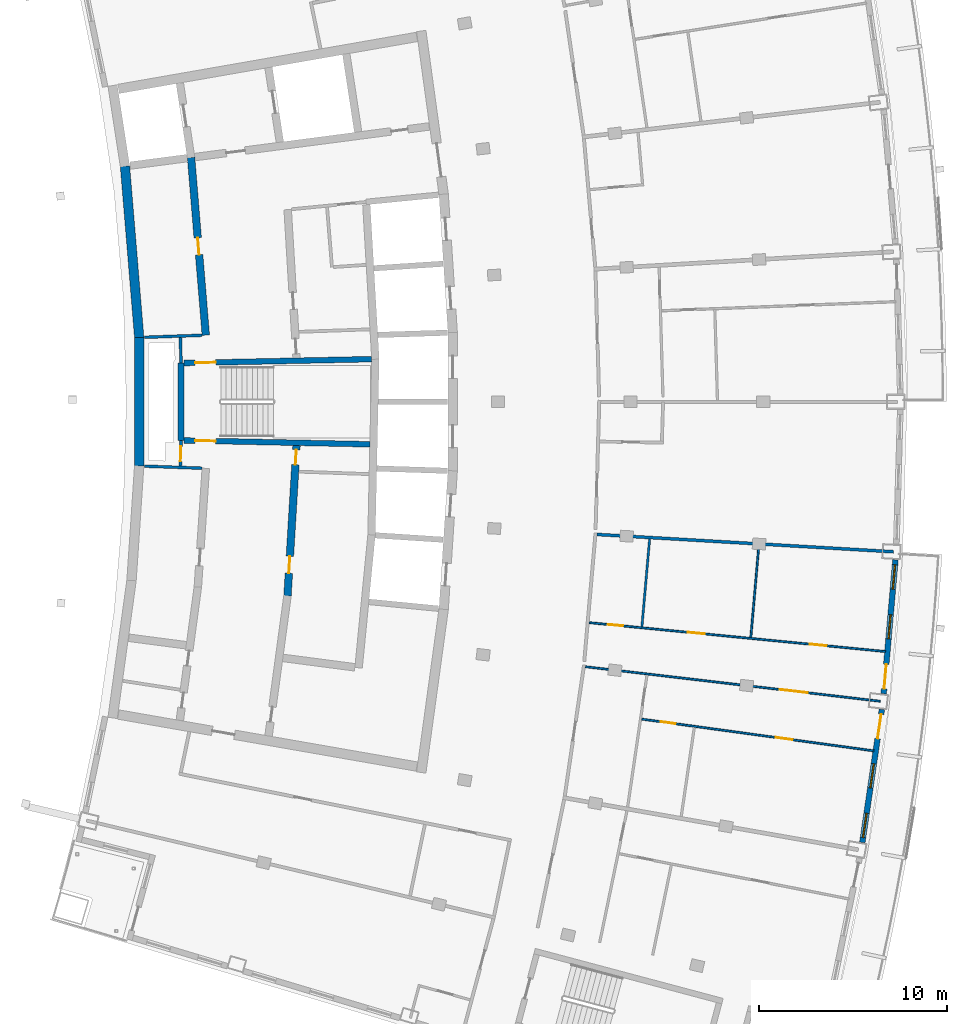
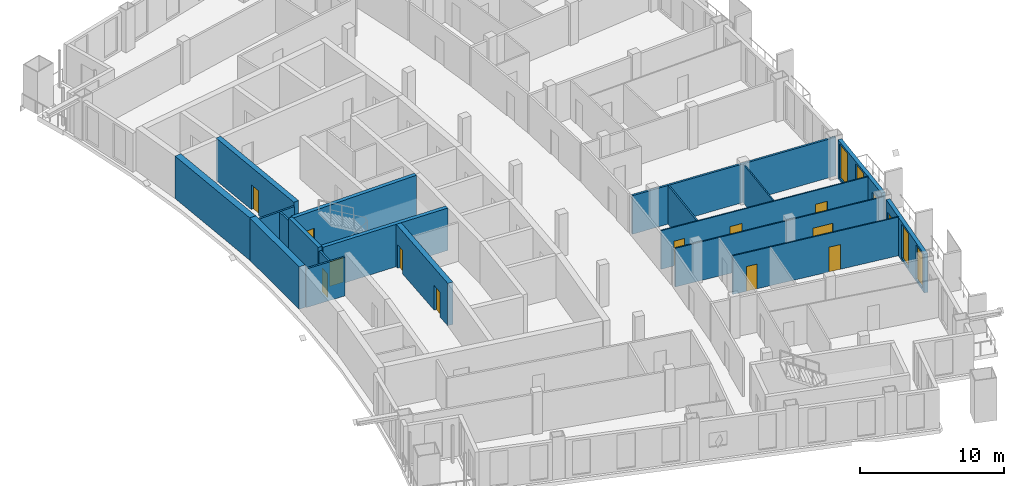
# One storey, part 9 of 15: 19 walls, 14 doors, 4 windows, 18 openings.
"""IFC4 building model written with IfcOpenShell, lengths in metres."""

from ifc_helpers import new_model, si_unit, direction, frame, frame_2d, origin, place, context, subcontext, project, spatial, rectangle, extrude, material, layer, layer_set, type_object, element, fill, save


model = new_model("IFC4")

# Units and contexts
model_context = context("Model", 3, precision=1e-05, world=origin(), true_north=direction((0.0, 1.0)))
body_context = subcontext(model_context, "Body", "Model", "MODEL_VIEW")
ifc_project = project(units=[si_unit("LENGTHUNIT", "METRE"), si_unit("AREAUNIT", "SQUARE_METRE"), si_unit("VOLUMEUNIT", "CUBIC_METRE"), si_unit("PLANEANGLEUNIT", "RADIAN"), si_unit("MASSUNIT", "GRAM", prefix="KILO")], contexts=[model_context])

# Site, building, storey
site_placement = place(None, origin())
site = spatial("IfcSite", under=ifc_project, at=site_placement, CompositionType="ELEMENT")
building_placement = place(site_placement, origin())
building = spatial("IfcBuilding", under=site, at=building_placement, Name="Alderwake Tower", CompositionType="ELEMENT")
storey_placement = place(building_placement, frame((0.0, 0.0, 252.800048828125)))
storey = spatial("IfcBuildingStorey", under=building, at=storey_placement, Name="L62", CompositionType="ELEMENT", Elevation=252.800048828125)

# Wall, opening, door
ifc_material_1 = material(Name="Gypsum shaft wall system, rated")
ifc_layer_1 = layer(ifc_material_1, 0.14990234375)
ifc_layer_set_1 = layer_set([ifc_layer_1], Name="Core room partition 150")
wall_type_1 = type_object("IfcWallType", Name="Core room partition 150", PredefinedType="PARTITIONING", material=ifc_layer_set_1)
wall_1_placement = place(storey_placement, frame((18.918701171875, 58.94384765625, 0.0), z_axis=(0.0, 0.0, 1.0), x_axis=(-0.027811602725, -0.999613182563, 0.0)))
wall_1 = element("IfcWall", 1, at=wall_1_placement, inside=storey, type_object=wall_type_1, Name="CW/L62/PA+24_-37", PredefinedType="PARTITIONING", context=body_context, shape_type="SweptSolid", body=[
    extrude(rectangle(XDim=1.369384765625, YDim=0.14990234375, at=frame_2d((0.6845703125, 0.0))), origin(), (0.0, 0.0, 1.0), 3.280029296875),
])
opening_1_placement = place(wall_1_placement, frame((0.322998046875, 0.0, 0.0)))
opening_1 = element("IfcOpeningElement", 2, at=opening_1_placement, cuts=wall_1, Name="Opening C004", PredefinedType="OPENING", context=body_context, shape_type="SweptSolid", body=[
    extrude(rectangle(XDim=0.800048828125, YDim=2.0, at=frame_2d((0.39990234375, 1.0))), frame((0.0, 0.0849609375, 0.0), z_axis=(0.0, -1.0, 0.0), x_axis=(1.0, 0.0, 0.0)), (0.0, 0.0, 1.0), 0.169921875),
])
ifc_material_2 = material(Name="Painted steel leaf, rated", Category="steel")
door_type_1 = type_object("IfcDoorType", Name="Riser access door 800", OperationType="SINGLE_SWING_LEFT", PredefinedType="DOOR", material=ifc_material_2)
door_1_placement = place(opening_1_placement, origin())
door_1 = element("IfcDoor", 3, at=door_1_placement, inside=storey, type_object=door_type_1, Name="Riser access door", OperationType="SINGLE_SWING_RIGHT", OverallHeight=2.0, OverallWidth=0.800048828125, PredefinedType="DOOR", context=body_context, shape_type="SweptSolid", body=[
    extrude(rectangle(XDim=0.800048828125, YDim=2.0, at=frame_2d((0.39990234375, 1.0))), frame((0.0, 0.02490234375, 0.0), z_axis=(0.0, -1.0, 0.0), x_axis=(1.0, 0.0, 0.0)), (0.0, 0.0, 1.0), 0.050048828125),
])
fill(opening_1, door_1)

# Walls
wall_2_placement = place(storey_placement, frame((18.918701171875, 63.05517578125, 0.0), z_axis=(0.0, 0.0, 1.0), x_axis=(-0.027791791559, 0.99961373356, 0.0)))
element("IfcWall", 4, at=wall_2_placement, inside=storey, type_object=wall_type_1, Name="CW/L62/PA+24_+22", PredefinedType="PARTITIONING", context=body_context, shape_type="SweptSolid", body=[
    extrude(rectangle(XDim=1.370361328125, YDim=0.14990234375, at=frame_2d((0.68505859375, 0.0))), origin(), (0.0, 0.0, 1.0), 3.280029296875),
])
for number, where, z_axis, x_axis, name in (
    (5, (16.969482421875, 57.5673828125, 0.0), (0.0, 0.0, 1.0), (0.999376258731, -0.035314210814, 0.0), "CW/L62/PR-37_+0"),
    (6, (16.969482421875, 64.4326171875, 0.0), (0.0, 0.0, 1.0), (0.999376258731, 0.035314210814, 0.0), "CW/L62/PR+37_+0"),
):
    element("IfcWall", number, at=place(storey_placement, frame(where, z_axis=z_axis, x_axis=x_axis)), inside=storey, type_object=wall_type_1, Name=name, PredefinedType="PARTITIONING", context=body_context, shape_type="SweptSolid", body=[
        extrude(rectangle(XDim=3.069580078125, YDim=0.14990234375, at=frame_2d((1.53466796875, 0.0))), origin(), (0.0, 0.0, 1.0), 3.280029296875),
    ])
ifc_material_3 = material(Name="Concrete C70/85", Category="concrete")
ifc_layer_2 = layer(ifc_material_3, 0.5)
ifc_layer_set_2 = layer_set([ifc_layer_2], Name="Core wall outer 500 C70-85")
wall_type_2 = type_object("IfcWallType", Name="Core wall outer 500 C70-85", PredefinedType="SHEAR", material=ifc_layer_set_2)
wall_3_placement = place(storey_placement, frame((16.689453125, 57.568603515625, 0.0), z_axis=(0.0, 0.0, 1.0), x_axis=(0.0, 1.0, 0.0)))
element("IfcWall", 7, at=wall_3_placement, inside=storey, type_object=wall_type_2, Name="Core wall CW.029", PredefinedType="SHEAR", context=body_context, shape_type="SweptSolid", body=[
    extrude(rectangle(XDim=6.86474609375, YDim=0.5, at=frame_2d((3.432373046875, 0.0))), origin(), (0.0, 0.0, 1.0), 3.599853515625),
])
wall_4_placement = place(storey_placement, frame((16.690185546875, 64.41162109375, 0.0), z_axis=(0.0, 0.0, 1.0), x_axis=(-0.082611702064, 0.996581811334, 0.0)))
element("IfcWall", 8, at=wall_4_placement, inside=storey, type_object=wall_type_2, Name="Core wall CW.026", PredefinedType="SHEAR", context=body_context, shape_type="SweptSolid", body=[
    extrude(rectangle(XDim=9.176025390625, YDim=0.5, at=frame_2d((4.587890625, 0.0))), origin(), (0.0, 0.0, 1.0), 3.599853515625),
])

# Wall, opening, door
ifc_material_4 = material(Name="Concrete C70/85", Category="concrete")
ifc_layer_3 = layer(ifc_material_4, 0.39990234375)
ifc_layer_set_3 = layer_set([ifc_layer_3], Name="Core wall spine 400 C70-85")
wall_type_3 = type_object("IfcWallType", Name="Core wall spine 400 C70-85", PredefinedType="SHEAR", material=ifc_layer_set_3)
wall_5_placement = place(storey_placement, frame((19.452392578125, 74.014892578125, 0.0), z_axis=(0.0, 0.0, 1.0), x_axis=(0.082628585297, -0.996580411654, 0.0)))
wall_5 = element("IfcWall", 9, at=wall_5_placement, inside=storey, type_object=wall_type_3, Name="Core wall CW.031", PredefinedType="SHEAR", context=body_context, shape_type="SweptSolid", body=[
    extrude(rectangle(XDim=9.499267578125, YDim=0.39990234375, at=frame_2d((4.74951171875, 0.0))), origin(), (0.0, 0.0, 1.0), 3.599853515625),
])
opening_2_placement = place(wall_5_placement, frame((4.30322265625, 0.0, 0.0)))
opening_2 = element("IfcOpeningElement", 10, at=opening_2_placement, cuts=wall_5, Name="Opening C051", PredefinedType="OPENING", context=body_context, shape_type="SweptSolid", body=[
    extrude(rectangle(XDim=0.89990234375, YDim=2.10009765625, at=frame_2d((0.449951171875, 1.050048828125))), frame((0.0, 0.2099609375, 0.0), z_axis=(0.0, -1.0, 0.0), x_axis=(1.0, 0.0, 0.0)), (0.0, 0.0, 1.0), 0.419921875),
])
ifc_material_5 = material(Name="Painted steel leaf", Category="steel")
door_type_2 = type_object("IfcDoorType", Name="Core room door 900", OperationType="SINGLE_SWING_LEFT", PredefinedType="DOOR", material=ifc_material_5)
door_2_placement = place(opening_2_placement, origin())
door_2 = element("IfcDoor", 11, at=door_2_placement, inside=storey, type_object=door_type_2, Name="Room door", OperationType="SINGLE_SWING_RIGHT", OverallHeight=2.10009765625, OverallWidth=0.89990234375, PredefinedType="DOOR", context=body_context, shape_type="SweptSolid", body=[
    extrude(rectangle(XDim=0.89990234375, YDim=2.10009765625, at=frame_2d((0.449951171875, 1.050048828125))), frame((0.0, 0.02490234375, 0.0), z_axis=(0.0, -1.0, 0.0), x_axis=(1.0, 0.0, 0.0)), (0.0, 0.0, 1.0), 0.050048828125),
])
fill(opening_2, door_2)

# Wall, openings, doors
wall_6_placement = place(storey_placement, frame((24.590087890625, 50.65673828125, 0.0), z_axis=(0.0, 0.0, 1.0), x_axis=(0.060318641452, 0.998179173041, 0.0)))
wall_6 = element("IfcWall", 12, at=wall_6_placement, inside=storey, type_object=wall_type_3, Name="Core wall CW.046", PredefinedType="SHEAR", context=body_context, shape_type="SweptSolid", body=[
    extrude(rectangle(XDim=8.022216796875, YDim=0.39990234375, at=frame_2d((4.01123046875, 0.0))), origin(), (0.0, 0.0, 1.0), 3.599853515625),
])
opening_3_placement = place(wall_6_placement, frame((7.006103515625, 0.0, 0.0)))
opening_3 = element("IfcOpeningElement", 13, at=opening_3_placement, cuts=wall_6, Name="Opening C006", PredefinedType="OPENING", context=body_context, shape_type="SweptSolid", body=[
    extrude(rectangle(XDim=0.800048828125, YDim=2.0, at=frame_2d((0.39990234375, 1.0))), frame((0.0, 0.2099609375, 0.0), z_axis=(0.0, -1.0, 0.0), x_axis=(1.0, 0.0, 0.0)), (0.0, 0.0, 1.0), 0.419921875),
])
opening_4_placement = place(wall_6_placement, frame((1.21533203125, 0.0, 0.0)))
opening_4 = element("IfcOpeningElement", 14, at=opening_4_placement, cuts=wall_6, Name="Opening C043", PredefinedType="OPENING", context=body_context, shape_type="SweptSolid", body=[
    extrude(rectangle(XDim=0.89990234375, YDim=2.10009765625, at=frame_2d((0.449951171875, 1.050048828125))), frame((0.0, 0.2099609375, 0.0), z_axis=(0.0, -1.0, 0.0), x_axis=(1.0, 0.0, 0.0)), (0.0, 0.0, 1.0), 0.419921875),
])
door_3_placement = place(opening_4_placement, origin())
door_3 = element("IfcDoor", 15, at=door_3_placement, inside=storey, type_object=door_type_2, Name="Room door", OperationType="SINGLE_SWING_LEFT", OverallHeight=2.10009765625, OverallWidth=0.89990234375, PredefinedType="DOOR", context=body_context, shape_type="SweptSolid", body=[
    extrude(rectangle(XDim=0.89990234375, YDim=2.10009765625, at=frame_2d((0.449951171875, 1.050048828125))), frame((0.0, 0.02490234375, 0.0), z_axis=(0.0, -1.0, 0.0), x_axis=(1.0, 0.0, 0.0)), (0.0, 0.0, 1.0), 0.050048828125),
])
fill(opening_4, door_3)
door_4_placement = place(opening_3_placement, origin())
door_4 = element("IfcDoor", 16, at=door_4_placement, inside=storey, type_object=door_type_1, Name="Riser access door", OperationType="SINGLE_SWING_RIGHT", OverallHeight=2.0, OverallWidth=0.800048828125, PredefinedType="DOOR", context=body_context, shape_type="SweptSolid", body=[
    extrude(rectangle(XDim=0.800048828125, YDim=2.0, at=frame_2d((0.39990234375, 1.0))), frame((0.0, 0.02490234375, 0.0), z_axis=(0.0, -1.0, 0.0), x_axis=(1.0, 0.0, 0.0)), (0.0, 0.0, 1.0), 0.050048828125),
])
fill(opening_3, door_4)

# Wall
ifc_material_6 = material(Name="Concrete C70/85", Category="concrete")
ifc_layer_4 = layer(ifc_material_6, 0.300048828125)
ifc_layer_set_4 = layer_set([ifc_layer_4], Name="Core wall stair enclosure 300 C70-85")
wall_type_4 = type_object("IfcWallType", Name="Core wall stair enclosure 300 C70-85", PredefinedType="SHEAR", material=ifc_layer_set_4)
wall_7_placement = place(storey_placement, frame((18.918701171875, 58.940673828125, 0.0), z_axis=(0.0, 0.0, 1.0), x_axis=(0.0, 1.0, 0.0)))
element("IfcWall", 17, at=wall_7_placement, inside=storey, type_object=wall_type_4, Name="Core wall CW.024", PredefinedType="SHEAR", context=body_context, shape_type="SweptSolid", body=[
    extrude(rectangle(XDim=4.11962890625, YDim=0.300048828125, at=frame_2d((2.059814453125, 0.0))), origin(), (0.0, 0.0, 1.0), 3.599853515625),
])

# Wall, opening, door
wall_8_placement = place(storey_placement, frame((28.975830078125, 58.733154296875, 0.0), z_axis=(0.0, 0.0, 1.0), x_axis=(-0.999783782948, 0.020793925895, 0.0)))
wall_8 = element("IfcWall", 18, at=wall_8_placement, inside=storey, type_object=wall_type_4, Name="Core wall CW.074", PredefinedType="SHEAR", context=body_context, shape_type="SweptSolid", body=[
    extrude(rectangle(XDim=9.909423828125, YDim=0.300048828125, at=frame_2d((4.95458984375, 0.0))), origin(), (0.0, 0.0, 1.0), 3.599853515625),
])
opening_5_placement = place(wall_8_placement, frame((8.20947265625, 0.0, 0.0)))
opening_5 = element("IfcOpeningElement", 19, at=opening_5_placement, cuts=wall_8, Name="Opening C063", PredefinedType="OPENING", context=body_context, shape_type="SweptSolid", body=[
    extrude(rectangle(XDim=1.10009765625, YDim=2.10009765625, at=frame_2d((0.550048828125, 1.050048828125))), frame((0.0, 0.159912109375, 0.0), z_axis=(0.0, -1.0, 0.0), x_axis=(1.0, 0.0, 0.0)), (0.0, 0.0, 1.0), 0.320068359375),
])
ifc_material_7 = material(Name="Steel-framed fire door leaf", Category="steel")
door_type_3 = type_object("IfcDoorType", Name="Core stair door 1100 fire-rated", OperationType="SINGLE_SWING_LEFT", PredefinedType="DOOR", material=ifc_material_7)
door_5_placement = place(opening_5_placement, origin())
door_5 = element("IfcDoor", 20, at=door_5_placement, inside=storey, type_object=door_type_3, Name="Stair door", OperationType="SINGLE_SWING_LEFT", OverallHeight=2.10009765625, OverallWidth=1.10009765625, PredefinedType="DOOR", context=body_context, shape_type="SweptSolid", body=[
    extrude(rectangle(XDim=1.10009765625, YDim=2.10009765625, at=frame_2d((0.550048828125, 1.050048828125))), frame((0.0, 0.02490234375, 0.0), z_axis=(0.0, -1.0, 0.0), x_axis=(1.0, 0.0, 0.0)), (0.0, 0.0, 1.0), 0.050048828125),
])
fill(opening_5, door_5)

wall_9_placement = place(storey_placement, frame((19.068603515625, 63.060791015625, 0.0), z_axis=(0.0, 0.0, 1.0), x_axis=(0.999783553773, 0.02080494185, 0.0)))
wall_9 = element("IfcWall", 21, at=wall_9_placement, inside=storey, type_object=wall_type_4, Name="Core wall CW.057", PredefinedType="SHEAR", context=body_context, shape_type="SweptSolid", body=[
    extrude(rectangle(XDim=10.009765625, YDim=0.300048828125, at=frame_2d((5.0048828125, 0.0))), origin(), (0.0, 0.0, 1.0), 3.599853515625),
])
opening_6_placement = place(wall_9_placement, frame((0.60009765625, 0.0, 0.0)))
opening_6 = element("IfcOpeningElement", 22, at=opening_6_placement, cuts=wall_9, Name="Opening C064", PredefinedType="OPENING", context=body_context, shape_type="SweptSolid", body=[
    extrude(rectangle(XDim=1.10009765625, YDim=2.10009765625, at=frame_2d((0.550048828125, 1.050048828125))), frame((0.0, 0.159912109375, 0.0), z_axis=(0.0, -1.0, 0.0), x_axis=(1.0, 0.0, 0.0)), (0.0, 0.0, 1.0), 0.320068359375),
])
door_6_placement = place(opening_6_placement, origin())
door_6 = element("IfcDoor", 23, at=door_6_placement, inside=storey, type_object=door_type_3, Name="Stair door", OperationType="SINGLE_SWING_RIGHT", OverallHeight=2.10009765625, OverallWidth=1.10009765625, PredefinedType="DOOR", context=body_context, shape_type="SweptSolid", body=[
    extrude(rectangle(XDim=1.10009765625, YDim=2.10009765625, at=frame_2d((0.550048828125, 1.050048828125))), frame((0.0, 0.02490234375, 0.0), z_axis=(0.0, -1.0, 0.0), x_axis=(1.0, 0.0, 0.0)), (0.0, 0.0, 1.0), 0.050048828125),
])
fill(opening_6, door_6)

# Wall
ifc_material_8 = material(Name="Gypsum board on metal studs, rated")
ifc_layer_5 = layer(ifc_material_8, 0.159912109375)
ifc_layer_set_5 = layer_set([ifc_layer_5], Name="Corridor wall 160")
wall_type_5 = type_object("IfcWallType", Name="Corridor wall 160", PredefinedType="PARTITIONING", material=ifc_layer_set_5)
wall_10_placement = place(storey_placement, frame((41.074951171875, 53.92919921875, 0.0), z_axis=(0.0, 0.0, 1.0), x_axis=(0.998299769412, -0.058288681503, 0.0)))
element("IfcWall", 24, at=wall_10_placement, inside=storey, type_object=wall_type_5, Name="WL/L62/W24", PredefinedType="PARTITIONING", context=body_context, shape_type="SweptSolid", body=[
    extrude(rectangle(XDim=15.81982421875, YDim=0.159912109375, at=frame_2d((7.909912109375, 0.0))), origin(), (0.0, 0.0, 1.0), 3.280029296875),
])

# Wall, openings, door, windows
ifc_material_9 = material(Name="Precast concrete C50/60 spandrel panel", Category="concrete")
ifc_layer_6 = layer(ifc_material_9, 0.300048828125)
ifc_layer_set_6 = layer_set([ifc_layer_6], Name="External wall EW1 Precast concrete C50/60 spandrel")
wall_type_6 = type_object("IfcWallType", Name="External wall EW1 Precast concrete C50/60 spandrel", PredefinedType="SOLIDWALL", material=ifc_layer_set_6)
wall_11_placement = place(storey_placement, frame((55.21484375, 37.52099609375, 0.0), z_axis=(0.0, 0.0, 1.0), x_axis=(0.145324203969, 0.989384089088, 0.0)))
wall_11 = element("IfcWall", 25, at=wall_11_placement, inside=storey, type_object=wall_type_6, Name="External wall 13", PredefinedType="SOLIDWALL", context=body_context, shape_type="SweptSolid", body=[
    extrude(rectangle(XDim=7.16162109375, YDim=0.300048828125, at=frame_2d((3.580810546875, 0.0))), origin(), (0.0, 0.0, 1.0), 3.280029296875),
])
opening_7_placement = place(wall_11_placement, frame((0.267333984375, 0.0, 0.199951171875)))
opening_7 = element("IfcOpeningElement", 26, at=opening_7_placement, cuts=wall_11, Name="Opening W1", PredefinedType="OPENING", context=body_context, shape_type="SweptSolid", body=[
    extrude(rectangle(XDim=1.300048828125, YDim=2.89990234375, at=frame_2d((0.64990234375, 1.449951171875))), frame((0.0, 0.159912109375, 0.0), z_axis=(0.0, -1.0, 0.0), x_axis=(1.0, 0.0, 0.0)), (0.0, 0.0, 1.0), 0.320068359375),
])
opening_8_placement = place(wall_11_placement, frame((2.930908203125, 0.0, 0.199951171875)))
opening_8 = element("IfcOpeningElement", 27, at=opening_8_placement, cuts=wall_11, Name="Opening W1", PredefinedType="OPENING", context=body_context, shape_type="SweptSolid", body=[
    extrude(rectangle(XDim=1.300048828125, YDim=2.89990234375, at=frame_2d((0.64990234375, 1.449951171875))), frame((0.0, 0.159912109375, 0.0), z_axis=(0.0, -1.0, 0.0), x_axis=(1.0, 0.0, 0.0)), (0.0, 0.0, 1.0), 0.320068359375),
])
opening_9_placement = place(wall_11_placement, frame((5.594482421875, 0.0, 0.0)))
opening_9 = element("IfcOpeningElement", 28, at=opening_9_placement, cuts=wall_11, Name="Opening D03", PredefinedType="OPENING", context=body_context, shape_type="SweptSolid", body=[
    extrude(rectangle(XDim=1.300048828125, YDim=2.39990234375, at=frame_2d((0.64990234375, 1.199951171875))), frame((0.0, 0.159912109375, 0.0), z_axis=(0.0, -1.0, 0.0), x_axis=(1.0, 0.0, 0.0)), (0.0, 0.0, 1.0), 0.320068359375),
])
ifc_material_10 = material(Name="Bronze tinted glass in aluminium frame", Category="aluminium")
door_type_4 = type_object("IfcDoorType", Name="Balcony door BD sliding", OperationType="SLIDING_TO_LEFT", PredefinedType="DOOR", material=ifc_material_10)
door_7_placement = place(opening_9_placement, origin())
door_7 = element("IfcDoor", 29, at=door_7_placement, inside=storey, type_object=door_type_4, Name="Door D03", OperationType="SLIDING_TO_LEFT", OverallHeight=2.39990234375, OverallWidth=1.300048828125, PredefinedType="DOOR", context=body_context, shape_type="SweptSolid", body=[
    extrude(rectangle(XDim=1.300048828125, YDim=2.39990234375, at=frame_2d((0.64990234375, 1.199951171875))), frame((0.0, 0.02490234375, 0.0), z_axis=(0.0, -1.0, 0.0), x_axis=(1.0, 0.0, 0.0)), (0.0, 0.0, 1.0), 0.050048828125),
])
fill(opening_9, door_7)
ifc_material_11 = material(Name="Bronze tinted glass in aluminium frame", Category="aluminium")
window_type = type_object("IfcWindowType", Name="Window W1 tall fixed and vent", PartitioningType="DOUBLE_PANEL_VERTICAL", PredefinedType="WINDOW", material=ifc_material_11)
window_1_placement = place(opening_7_placement, origin())
window_1 = element("IfcWindow", 30, at=window_1_placement, inside=storey, type_object=window_type, Name="Window W1 tall fixed and vent", OverallHeight=2.89990234375, OverallWidth=1.300048828125, PartitioningType="DOUBLE_PANEL_VERTICAL", PredefinedType="WINDOW", context=body_context, shape_type="SweptSolid", body=[
    extrude(rectangle(XDim=1.300048828125, YDim=2.89990234375, at=frame_2d((0.64990234375, 1.449951171875))), frame((0.0, 0.030029296875, 0.0), z_axis=(0.0, -1.0, 0.0), x_axis=(1.0, 0.0, 0.0)), (0.0, 0.0, 1.0), 0.06005859375),
])
fill(opening_7, window_1)
window_2_placement = place(opening_8_placement, origin())
window_2 = element("IfcWindow", 31, at=window_2_placement, inside=storey, type_object=window_type, Name="Window W1 tall fixed and vent", OverallHeight=2.89990234375, OverallWidth=1.300048828125, PartitioningType="DOUBLE_PANEL_VERTICAL", PredefinedType="WINDOW", context=body_context, shape_type="SweptSolid", body=[
    extrude(rectangle(XDim=1.300048828125, YDim=2.89990234375, at=frame_2d((0.64990234375, 1.449951171875))), frame((0.0, 0.030029296875, 0.0), z_axis=(0.0, -1.0, 0.0), x_axis=(1.0, 0.0, 0.0)), (0.0, 0.0, 1.0), 0.06005859375),
])
fill(opening_8, window_2)

wall_12_placement = place(storey_placement, frame((56.353759765625, 45.44384765625, 0.0), z_axis=(0.0, 0.0, 1.0), x_axis=(0.087406300702, 0.99617274536, 0.0)))
wall_12 = element("IfcWall", 32, at=wall_12_placement, inside=storey, type_object=wall_type_6, Name="External wall 14", PredefinedType="SOLIDWALL", context=body_context, shape_type="SweptSolid", body=[
    extrude(rectangle(XDim=7.16162109375, YDim=0.300048828125, at=frame_2d((3.580810546875, 0.0))), origin(), (0.0, 0.0, 1.0), 3.280029296875),
])
opening_10_placement = place(wall_12_placement, frame((0.267333984375, 0.0, 0.0)))
opening_10 = element("IfcOpeningElement", 33, at=opening_10_placement, cuts=wall_12, Name="Opening D04", PredefinedType="OPENING", context=body_context, shape_type="SweptSolid", body=[
    extrude(rectangle(XDim=1.300048828125, YDim=2.39990234375, at=frame_2d((0.64990234375, 1.199951171875))), frame((0.0, 0.159912109375, 0.0), z_axis=(0.0, -1.0, 0.0), x_axis=(1.0, 0.0, 0.0)), (0.0, 0.0, 1.0), 0.320068359375),
])
opening_11_placement = place(wall_12_placement, frame((2.930908203125, 0.0, 0.199951171875)))
opening_11 = element("IfcOpeningElement", 34, at=opening_11_placement, cuts=wall_12, Name="Opening W1", PredefinedType="OPENING", context=body_context, shape_type="SweptSolid", body=[
    extrude(rectangle(XDim=1.300048828125, YDim=2.89990234375, at=frame_2d((0.64990234375, 1.449951171875))), frame((0.0, 0.159912109375, 0.0), z_axis=(0.0, -1.0, 0.0), x_axis=(1.0, 0.0, 0.0)), (0.0, 0.0, 1.0), 0.320068359375),
])
opening_12_placement = place(wall_12_placement, frame((5.594482421875, 0.0, 0.199951171875)))
opening_12 = element("IfcOpeningElement", 35, at=opening_12_placement, cuts=wall_12, Name="Opening W1", PredefinedType="OPENING", context=body_context, shape_type="SweptSolid", body=[
    extrude(rectangle(XDim=1.300048828125, YDim=2.89990234375, at=frame_2d((0.64990234375, 1.449951171875))), frame((0.0, 0.159912109375, 0.0), z_axis=(0.0, -1.0, 0.0), x_axis=(1.0, 0.0, 0.0)), (0.0, 0.0, 1.0), 0.320068359375),
])
door_8_placement = place(opening_10_placement, origin())
door_8 = element("IfcDoor", 36, at=door_8_placement, inside=storey, type_object=door_type_4, Name="Door D04", OperationType="SLIDING_TO_LEFT", OverallHeight=2.39990234375, OverallWidth=1.300048828125, PredefinedType="DOOR", context=body_context, shape_type="SweptSolid", body=[
    extrude(rectangle(XDim=1.300048828125, YDim=2.39990234375, at=frame_2d((0.64990234375, 1.199951171875))), frame((0.0, 0.02490234375, 0.0), z_axis=(0.0, -1.0, 0.0), x_axis=(1.0, 0.0, 0.0)), (0.0, 0.0, 1.0), 0.050048828125),
])
fill(opening_10, door_8)
window_3_placement = place(opening_11_placement, origin())
window_3 = element("IfcWindow", 37, at=window_3_placement, inside=storey, type_object=window_type, Name="Window W1 tall fixed and vent", OverallHeight=2.89990234375, OverallWidth=1.300048828125, PartitioningType="DOUBLE_PANEL_VERTICAL", PredefinedType="WINDOW", context=body_context, shape_type="SweptSolid", body=[
    extrude(rectangle(XDim=1.300048828125, YDim=2.89990234375, at=frame_2d((0.64990234375, 1.449951171875))), frame((0.0, 0.030029296875, 0.0), z_axis=(0.0, -1.0, 0.0), x_axis=(1.0, 0.0, 0.0)), (0.0, 0.0, 1.0), 0.06005859375),
])
fill(opening_11, window_3)
window_4_placement = place(opening_12_placement, origin())
window_4 = element("IfcWindow", 38, at=window_4_placement, inside=storey, type_object=window_type, Name="Window W1 tall fixed and vent", OverallHeight=2.89990234375, OverallWidth=1.300048828125, PartitioningType="DOUBLE_PANEL_VERTICAL", PredefinedType="WINDOW", context=body_context, shape_type="SweptSolid", body=[
    extrude(rectangle(XDim=1.300048828125, YDim=2.89990234375, at=frame_2d((0.64990234375, 1.449951171875))), frame((0.0, 0.030029296875, 0.0), z_axis=(0.0, -1.0, 0.0), x_axis=(1.0, 0.0, 0.0)), (0.0, 0.0, 1.0), 0.06005859375),
])
fill(opening_12, window_4)

# Wall, opening, door
ifc_material_12 = material(Name="Gypsum board on metal studs")
ifc_layer_7 = layer(ifc_material_12, 0.10009765625)
ifc_layer_set_7 = layer_set([ifc_layer_7], Name="Unit partition 100")
wall_type_7 = type_object("IfcWallType", Name="Unit partition 100", PredefinedType="PARTITIONING", material=ifc_layer_set_7)
wall_13_placement = place(storey_placement, frame((40.45654296875, 46.8837890625, 0.0), z_axis=(0.0, 0.0, 1.0), x_axis=(0.993199815396, -0.116422191605, 0.0)))
wall_13 = element("IfcWall", 39, at=wall_13_placement, inside=storey, type_object=wall_type_7, Name="WL/L62/W46", PredefinedType="PARTITIONING", context=body_context, shape_type="SweptSolid", body=[
    extrude(rectangle(XDim=15.820068359375, YDim=0.10009765625, at=frame_2d((7.91015625, 0.0))), origin(), (0.0, 0.0, 1.0), 3.280029296875),
])
opening_13_placement = place(wall_13_placement, frame((10.43310546875, 0.0, 0.0)))
opening_13 = element("IfcOpeningElement", 40, at=opening_13_placement, cuts=wall_13, Name="Opening R17-U04.8", PredefinedType="OPENING", context=body_context, shape_type="SweptSolid", body=[
    extrude(rectangle(XDim=1.5, YDim=2.10009765625, at=frame_2d((0.75, 1.050048828125))), frame((0.0, 0.06005859375, 0.0), z_axis=(0.0, -1.0, 0.0), x_axis=(1.0, 0.0, 0.0)), (0.0, 0.0, 1.0), 0.1201171875),
])
ifc_material_13 = material(Name="Painted timber leaves", Category="wood")
door_type_5 = type_object("IfcDoorType", Name="Double leaf door 1500", OperationType="DOUBLE_DOOR_SINGLE_SWING", PredefinedType="DOOR", material=ifc_material_13)
door_9_placement = place(opening_13_placement, origin())
door_9 = element("IfcDoor", 41, at=door_9_placement, inside=storey, type_object=door_type_5, Name="DR/L62/U04.8", OperationType="DOUBLE_DOOR_SINGLE_SWING", OverallHeight=2.10009765625, OverallWidth=1.5, PredefinedType="DOOR", context=body_context, shape_type="SweptSolid", body=[
    extrude(rectangle(XDim=1.5, YDim=2.10009765625, at=frame_2d((0.75, 1.050048828125))), frame((0.0, 0.02490234375, 0.0), z_axis=(0.0, -1.0, 0.0), x_axis=(1.0, 0.0, 0.0)), (0.0, 0.0, 1.0), 0.050048828125),
])
fill(opening_13, door_9)

# Wall, openings, doors
wall_14_placement = place(storey_placement, frame((40.66064453125, 49.231201171875, 0.0), z_axis=(0.0, 0.0, 1.0), x_axis=(0.995274307412, -0.097103310995, 0.0)))
wall_14 = element("IfcWall", 42, at=wall_14_placement, inside=storey, type_object=wall_type_7, Name="WL/L62/W47", PredefinedType="PARTITIONING", context=body_context, shape_type="SweptSolid", body=[
    extrude(rectangle(XDim=15.8623046875, YDim=0.10009765625, at=frame_2d((7.93115234375, 0.0))), origin(), (0.0, 0.0, 1.0), 3.280029296875),
])
opening_14_placement = place(wall_14_placement, frame((5.284912109375, 0.0, 0.0)))
opening_14 = element("IfcOpeningElement", 43, at=opening_14_placement, cuts=wall_14, Name="Opening R17-U04.5", PredefinedType="OPENING", context=body_context, shape_type="SweptSolid", body=[
    extrude(rectangle(XDim=0.89990234375, YDim=2.10009765625, at=frame_2d((0.449951171875, 1.050048828125))), frame((0.0, 0.06005859375, 0.0), z_axis=(0.0, -1.0, 0.0), x_axis=(1.0, 0.0, 0.0)), (0.0, 0.0, 1.0), 0.1201171875),
])
opening_15_placement = place(wall_14_placement, frame((1.010009765625, 0.0, 0.0)))
opening_15 = element("IfcOpeningElement", 44, at=opening_15_placement, cuts=wall_14, Name="Opening R17-U04.6", PredefinedType="OPENING", context=body_context, shape_type="SweptSolid", body=[
    extrude(rectangle(XDim=0.800048828125, YDim=2.10009765625, at=frame_2d((0.39990234375, 1.050048828125))), frame((0.0, 0.06005859375, 0.0), z_axis=(0.0, -1.0, 0.0), x_axis=(1.0, 0.0, 0.0)), (0.0, 0.0, 1.0), 0.1201171875),
])
opening_16_placement = place(wall_14_placement, frame((11.80615234375, 0.0, 0.0)))
opening_16 = element("IfcOpeningElement", 45, at=opening_16_placement, cuts=wall_14, Name="Opening R17-U04.7", PredefinedType="OPENING", context=body_context, shape_type="SweptSolid", body=[
    extrude(rectangle(XDim=0.89990234375, YDim=2.10009765625, at=frame_2d((0.449951171875, 1.050048828125))), frame((0.0, 0.06005859375, 0.0), z_axis=(0.0, -1.0, 0.0), x_axis=(1.0, 0.0, 0.0)), (0.0, 0.0, 1.0), 0.1201171875),
])
ifc_material_14 = material(Name="Painted timber leaf", Category="wood")
door_type_6 = type_object("IfcDoorType", Name="Bathroom door 800", OperationType="SINGLE_SWING_LEFT", PredefinedType="DOOR", material=ifc_material_14)
door_10_placement = place(opening_15_placement, origin())
door_10 = element("IfcDoor", 46, at=door_10_placement, inside=storey, type_object=door_type_6, Name="DR/L62/U04.6", OperationType="SINGLE_SWING_LEFT", OverallHeight=2.10009765625, OverallWidth=0.800048828125, PredefinedType="DOOR", context=body_context, shape_type="SweptSolid", body=[
    extrude(rectangle(XDim=0.800048828125, YDim=2.10009765625, at=frame_2d((0.39990234375, 1.050048828125))), frame((0.0, 0.02490234375, 0.0), z_axis=(0.0, -1.0, 0.0), x_axis=(1.0, 0.0, 0.0)), (0.0, 0.0, 1.0), 0.050048828125),
])
fill(opening_15, door_10)
ifc_material_15 = material(Name="Painted timber leaf", Category="wood")
door_type_7 = type_object("IfcDoorType", Name="Room door 900", OperationType="SINGLE_SWING_LEFT", PredefinedType="DOOR", material=ifc_material_15)
door_11_placement = place(opening_14_placement, origin())
door_11 = element("IfcDoor", 47, at=door_11_placement, inside=storey, type_object=door_type_7, Name="DR/L62/U04.5", OperationType="SINGLE_SWING_LEFT", OverallHeight=2.10009765625, OverallWidth=0.89990234375, PredefinedType="DOOR", context=body_context, shape_type="SweptSolid", body=[
    extrude(rectangle(XDim=0.89990234375, YDim=2.10009765625, at=frame_2d((0.449951171875, 1.050048828125))), frame((0.0, 0.02490234375, 0.0), z_axis=(0.0, -1.0, 0.0), x_axis=(1.0, 0.0, 0.0)), (0.0, 0.0, 1.0), 0.050048828125),
])
fill(opening_14, door_11)
door_12_placement = place(opening_16_placement, origin())
door_12 = element("IfcDoor", 48, at=door_12_placement, inside=storey, type_object=door_type_7, Name="DR/L62/U04.7", OperationType="SINGLE_SWING_LEFT", OverallHeight=2.10009765625, OverallWidth=0.89990234375, PredefinedType="DOOR", context=body_context, shape_type="SweptSolid", body=[
    extrude(rectangle(XDim=0.89990234375, YDim=2.10009765625, at=frame_2d((0.449951171875, 1.050048828125))), frame((0.0, 0.02490234375, 0.0), z_axis=(0.0, -1.0, 0.0), x_axis=(1.0, 0.0, 0.0)), (0.0, 0.0, 1.0), 0.050048828125),
])
fill(opening_16, door_12)

wall_15_placement = place(storey_placement, frame((55.830078125, 42.39892578125, 0.0), z_axis=(0.0, 0.0, 1.0), x_axis=(-0.990764604632, 0.135593134815, 0.0)))
wall_15 = element("IfcWall", 49, at=wall_15_placement, inside=storey, type_object=wall_type_7, Name="WL/L62/W50", PredefinedType="PARTITIONING", context=body_context, shape_type="SweptSolid", body=[
    extrude(rectangle(XDim=12.48486328125, YDim=0.10009765625, at=frame_2d((6.242431640625, 0.0))), origin(), (0.0, 0.0, 1.0), 3.280029296875),
])
opening_17_placement = place(wall_15_placement, frame((10.665283203125, 0.0, 0.0)))
opening_17 = element("IfcOpeningElement", 50, at=opening_17_placement, cuts=wall_15, Name="Opening R17-U04.3", PredefinedType="OPENING", context=body_context, shape_type="SweptSolid", body=[
    extrude(rectangle(XDim=0.800048828125, YDim=2.10009765625, at=frame_2d((0.39990234375, 1.050048828125))), frame((0.0, 0.06005859375, 0.0), z_axis=(0.0, -1.0, 0.0), x_axis=(1.0, 0.0, 0.0)), (0.0, 0.0, 1.0), 0.1201171875),
])
opening_18_placement = place(wall_15_placement, frame((4.37353515625, 0.0, 0.0)))
opening_18 = element("IfcOpeningElement", 51, at=opening_18_placement, cuts=wall_15, Name="Opening R17-U04.4", PredefinedType="OPENING", context=body_context, shape_type="SweptSolid", body=[
    extrude(rectangle(XDim=0.89990234375, YDim=2.10009765625, at=frame_2d((0.449951171875, 1.050048828125))), frame((0.0, 0.06005859375, 0.0), z_axis=(0.0, -1.0, 0.0), x_axis=(1.0, 0.0, 0.0)), (0.0, 0.0, 1.0), 0.1201171875),
])
door_13_placement = place(opening_17_placement, origin())
door_13 = element("IfcDoor", 52, at=door_13_placement, inside=storey, type_object=door_type_6, Name="DR/L62/U04.3", OperationType="SINGLE_SWING_LEFT", OverallHeight=2.10009765625, OverallWidth=0.800048828125, PredefinedType="DOOR", context=body_context, shape_type="SweptSolid", body=[
    extrude(rectangle(XDim=0.800048828125, YDim=2.10009765625, at=frame_2d((0.39990234375, 1.050048828125))), frame((0.0, 0.02490234375, 0.0), z_axis=(0.0, -1.0, 0.0), x_axis=(1.0, 0.0, 0.0)), (0.0, 0.0, 1.0), 0.050048828125),
])
fill(opening_17, door_13)
door_14_placement = place(opening_18_placement, origin())
door_14 = element("IfcDoor", 53, at=door_14_placement, inside=storey, type_object=door_type_7, Name="DR/L62/U04.4", OperationType="SINGLE_SWING_LEFT", OverallHeight=2.10009765625, OverallWidth=0.89990234375, PredefinedType="DOOR", context=body_context, shape_type="SweptSolid", body=[
    extrude(rectangle(XDim=0.89990234375, YDim=2.10009765625, at=frame_2d((0.449951171875, 1.050048828125))), frame((0.0, 0.02490234375, 0.0), z_axis=(0.0, -1.0, 0.0), x_axis=(1.0, 0.0, 0.0)), (0.0, 0.0, 1.0), 0.050048828125),
])
fill(opening_18, door_14)

# Walls
wall_16_placement = place(storey_placement, frame((49.2734375, 48.44287109375, 0.0), z_axis=(0.0, 0.0, 1.0), x_axis=(0.087282672152, 0.99618358506, 0.0)))
element("IfcWall", 54, at=wall_16_placement, inside=storey, type_object=wall_type_7, Name="WL/L62/W53", PredefinedType="PARTITIONING", context=body_context, shape_type="SweptSolid", body=[
    extrude(rectangle(XDim=4.920166015625, YDim=0.10009765625, at=frame_2d((2.4599609375, 0.0))), origin(), (0.0, 0.0, 1.0), 3.280029296875),
])
ifc_material_16 = material(Name="Moisture resistant gypsum board on metal studs")
ifc_layer_8 = layer(ifc_material_16, 0.1201171875)
ifc_layer_set_8 = layer_set([ifc_layer_8], Name="Wet room partition 120")
wall_type_8 = type_object("IfcWallType", Name="Wet room partition 120", PredefinedType="PARTITIONING", material=ifc_layer_set_8)
wall_17_placement = place(storey_placement, frame((43.471435546875, 49.0068359375, 0.0), z_axis=(0.0, 0.0, 1.0), x_axis=(0.087625335485, 0.996153502519, 0.0)))
element("IfcWall", 55, at=wall_17_placement, inside=storey, type_object=wall_type_8, Name="WL/L62/W37", PredefinedType="PARTITIONING", context=body_context, shape_type="SweptSolid", body=[
    extrude(rectangle(XDim=4.697509765625, YDim=0.1201171875, at=frame_2d((2.3486328125, 0.0))), origin(), (0.0, 0.0, 1.0), 3.280029296875),
])

save(model, "model.ifc")
